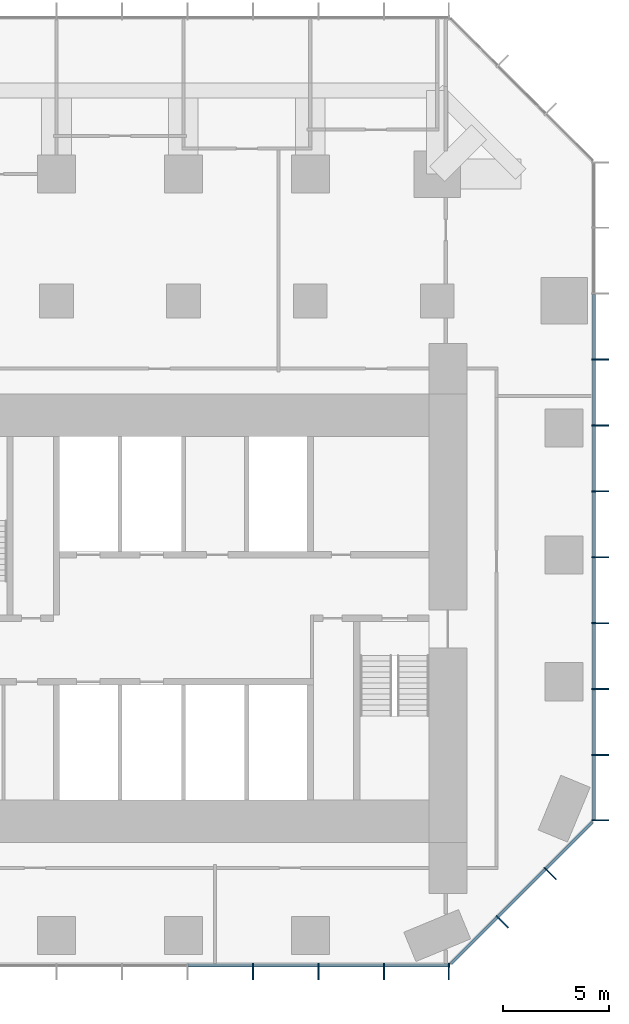
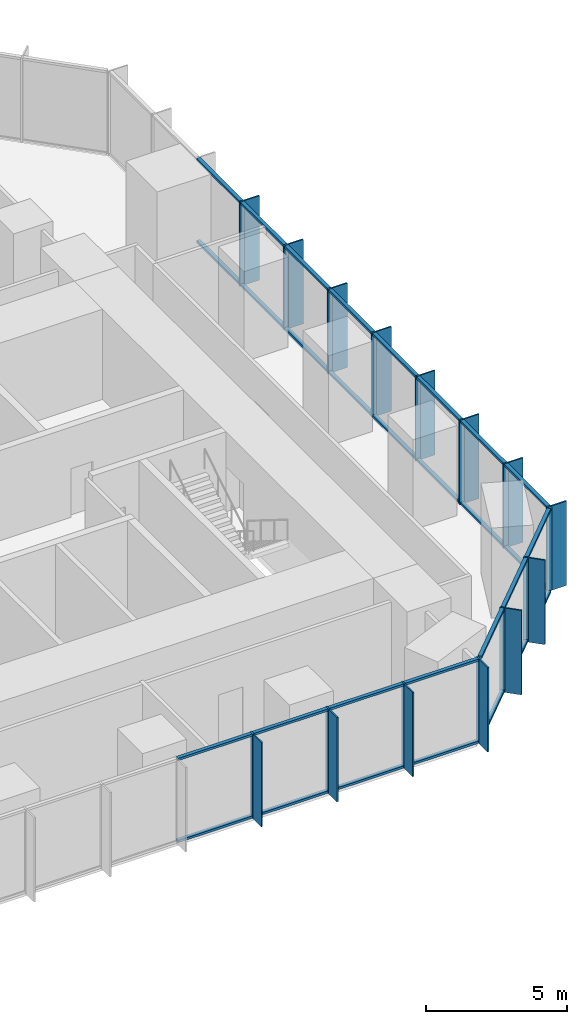
# One storey, part 4 of 11: 58 members, 3 elements without a shape of their own.
"""IFC4 building model written with IfcOpenShell, lengths in metres."""

import ifcopenshell
import ifcopenshell.guid

model = None  # the IFC model being written
_history = None  # IfcOwnerHistory: only IFC2X3 demands one
_inside = {}  # id of a spatial element -> (the spatial element, [elements in it])
_under = {}  # id of a project, library or spatial element -> (it, [spatial elements below it])
_declared = {}  # id of a project -> (the project, [libraries it declares])
_typed = {}  # id of a type object -> (the type object, [elements of that type])
_made_of = {}  # id of a material, layer set ... -> (it, [elements and type objects made of it])


def new_model(schema):
    """Start an empty IFC model of exactly this schema.

    Asked for "IFC4X3", IfcOpenShell would pick the latest addendum, in which some entities
    have other attributes; the version numbers below select the first issue.
    IFC2X3 requires an IfcOwnerHistory on every rooted entity: one is made here for all.
    """
    global model, _history
    if schema == "IFC4X3":
        model = ifcopenshell.file(schema_version=(4, 3, 0, 0))
    else:
        model = ifcopenshell.file(schema=schema)
    _inside.clear()
    _under.clear()
    _declared.clear()
    _typed.clear()
    _made_of.clear()
    _history = None
    if model.schema == "IFC2X3":
        org = make("IfcOrganization", Name="unknown")
        user = make(
            "IfcPersonAndOrganization",
            ThePerson=make("IfcPerson", FamilyName="unknown"),
            TheOrganization=org,
        )
        app = make(
            "IfcApplication",
            ApplicationDeveloper=org,
            Version="unknown",
            ApplicationFullName="unknown",
            ApplicationIdentifier="unknown",
        )
        _history = make(
            "IfcOwnerHistory",
            OwningUser=user,
            OwningApplication=app,
            ChangeAction="ADDED",
            CreationDate=0,
        )
    return model


def make(cls, **values):
    """One entity of the class cls with the attributes given. An attribute that is None is left unset."""
    return model.create_entity(
        cls, **{name: value for name, value in values.items() if value is not None}
    )


def rooted(cls, **values):
    """An entity with a GlobalId (a new one), such as an element, a storey or a relation."""
    return make(cls, GlobalId=ifcopenshell.guid.new(), OwnerHistory=_history, **values)


def si_unit(unit_type, name, prefix=None):
    """IfcSIUnit, for example si_unit("LENGTHUNIT", "METRE", prefix="MILLI")."""
    return make("IfcSIUnit", UnitType=unit_type, Prefix=prefix, Name=name)


def assignment(units):
    """IfcUnitAssignment: the units of a project."""
    return None if units is None else make("IfcUnitAssignment", Units=units)


def point(xyz):
    """IfcCartesianPoint."""
    return None if xyz is None else make("IfcCartesianPoint", Coordinates=xyz)


def direction(xyz):
    """IfcDirection."""
    return None if xyz is None else make("IfcDirection", DirectionRatios=xyz)


def frame(location, z_axis=None, x_axis=None):
    """IfcAxis2Placement3D, a coordinate frame: its origin and axes. An axis left out is left unset."""
    return make(
        "IfcAxis2Placement3D",
        Location=point(location),
        Axis=direction(z_axis),
        RefDirection=direction(x_axis),
    )


def frame_2d(location, x_axis=None):
    """IfcAxis2Placement2D, a coordinate frame in the plane: its origin and x axis."""
    return make(
        "IfcAxis2Placement2D", Location=point(location), RefDirection=direction(x_axis)
    )


def origin():
    """The frame at (0, 0, 0) with its axes left unset."""
    return frame((0.0, 0.0, 0.0))


def origin_2d():
    """The frame at (0, 0) in the plane with its x axis left unset."""
    return frame_2d((0.0, 0.0))


def place(relative_to, where):
    """IfcLocalPlacement: puts the frame where relative to a parent placement (None: the world)."""
    return make(
        "IfcLocalPlacement", PlacementRelTo=relative_to, RelativePlacement=where
    )


def context(
    kind, dimensions, precision=None, world=None, true_north=None, identifier=None
):
    """IfcGeometricRepresentationContext, for example the 3D "Model" context."""
    return make(
        "IfcGeometricRepresentationContext",
        ContextIdentifier=identifier,
        ContextType=kind,
        CoordinateSpaceDimension=dimensions,
        Precision=precision,
        WorldCoordinateSystem=world,
        TrueNorth=true_north,
    )


def subcontext(parent, identifier, kind, view, scale=None):
    """IfcGeometricRepresentationSubContext, for example "Body" below "Model"."""
    return make(
        "IfcGeometricRepresentationSubContext",
        ContextIdentifier=identifier,
        ContextType=kind,
        ParentContext=parent,
        TargetScale=scale,
        TargetView=view,
    )


def project(units=None, contexts=None):
    """IfcProject with its units and contexts."""
    return rooted(
        "IfcProject",
        Name="project",
        RepresentationContexts=contexts,
        UnitsInContext=assignment(units),
    )


def spatial(cls, under=None, at=None, **own):
    """A site, building, storey or space (cls), placed at a placement, below another one or the project."""
    s = rooted(cls, ObjectPlacement=at, **own)
    if under is not None:
        _under.setdefault(under.id(), (under, []))[1].append(s)
    return s


def profile(cls, at=None, kind="AREA", **sizes):
    """A parametric profile (cls). Its sizes go by their IFC names, for example OverallWidth=200.0."""
    return make(cls, ProfileType=kind, Position=at, **sizes)


def rectangle(**sizes):
    """IfcRectangleProfileDef."""
    return profile("IfcRectangleProfileDef", **sizes)


def extrude(swept, where, along, depth):
    """IfcExtrudedAreaSolid: the profile swept, set in the frame where, extruded along a direction by depth."""
    return make(
        "IfcExtrudedAreaSolid",
        SweptArea=swept,
        Position=where,
        ExtrudedDirection=direction(along),
        Depth=depth,
    )


def shape(context_of_items, identifier, shape_type, items):
    """IfcShapeRepresentation: the items that make up one representation, for example the "Body"."""
    return make(
        "IfcShapeRepresentation",
        ContextOfItems=context_of_items,
        RepresentationIdentifier=identifier,
        RepresentationType=shape_type,
        Items=items,
    )


def material(Name=None, Category=None):
    """IfcMaterial."""
    return make("IfcMaterial", Name=Name, Category=Category)


def layer(
    of_material, thickness, ventilated=None, Name=None, Category=None, Priority=None
):
    """IfcMaterialLayer: one layer of a wall or slab, of a material (None: an air gap)."""
    return make(
        "IfcMaterialLayer",
        Material=of_material,
        LayerThickness=thickness,
        IsVentilated=ventilated,
        Name=Name,
        Category=Category,
        Priority=Priority,
    )


def layer_set(layers, Name=None):
    """IfcMaterialLayerSet."""
    return make("IfcMaterialLayerSet", MaterialLayers=layers, LayerSetName=Name)


def material_profile(
    of_material, cross_section, Name=None, Category=None, Priority=None
):
    """IfcMaterialProfile: a cross section and its material."""
    return make(
        "IfcMaterialProfile",
        Name=Name,
        Material=of_material,
        Profile=cross_section,
        Priority=Priority,
        Category=Category,
    )


def profile_set(profiles, Name=None, composite=None):
    """IfcMaterialProfileSet."""
    return make(
        "IfcMaterialProfileSet",
        Name=Name,
        MaterialProfiles=profiles,
        CompositeProfile=composite,
    )


def made_of(thing, what):
    """Note that an element or type object is made of a material, layer set ...; save() writes the relation."""
    if what is not None:
        _made_of.setdefault(what.id(), (what, []))[1].append(thing)
    return thing


def type_object(cls, material=None, **own):
    """A type object (cls), such as IfcWallType, which elements share."""
    return made_of(rooted(cls, **own), material)


def element(
    cls,
    number,
    at=None,
    inside=None,
    cuts=None,
    type_object=None,
    material=None,
    context=None,
    identifier="Body",
    shape_type=None,
    held_by="IfcProductDefinitionShape",
    body=None,
    shapes=None,
    **own,
):
    """One element of the class cls, such as IfcWall. Its Tag is "e" and its number.

    at: its placement. inside: the storey or other place that contains it. cuts: it is an
    opening in that element (IfcRelVoidsElement). A single representation is given by context,
    identifier, shape_type and body (its items); several are given by shapes. held_by: the class
    of the entity that holds the representations. save() writes the other relations.
    """
    e = rooted(cls, Tag="e%d" % number, ObjectPlacement=at, **own)
    if body is not None:
        shapes = [shape(context, identifier, shape_type, body)]
    if shapes is not None:
        e.Representation = make(held_by, Representations=shapes)
    if inside is not None:
        _inside.setdefault(inside.id(), (inside, []))[1].append(e)
    if cuts is not None:
        rooted(
            "IfcRelVoidsElement", RelatingBuildingElement=cuts, RelatedOpeningElement=e
        )
    if type_object is not None:
        _typed.setdefault(type_object.id(), (type_object, []))[1].append(e)
    return made_of(e, material)


def aggregate(whole, parts):
    """IfcRelAggregates: a whole, such as a stair, and the parts it consists of."""
    return rooted("IfcRelAggregates", RelatingObject=whole, RelatedObjects=parts)


def save(model, path):
    """Write the relations noted so far, then the file.

    IfcRelAggregates (storeys below a building ...), IfcRelContainedInSpatialStructure (elements
    in a storey), IfcRelDefinesByType, IfcRelAssociatesMaterial and IfcRelDeclares: one each for
    every whole, place, type object, material and project.
    """
    for whole, parts in _under.values():
        aggregate(whole, parts)
    for where, things in _inside.values():
        rooted(
            "IfcRelContainedInSpatialStructure",
            RelatedElements=things,
            RelatingStructure=where,
        )
    for kind, things in _typed.values():
        rooted("IfcRelDefinesByType", RelatedObjects=things, RelatingType=kind)
    for what, things in _made_of.values():
        rooted("IfcRelAssociatesMaterial", RelatedObjects=things, RelatingMaterial=what)
    for by, libraries in _declared.values():
        rooted("IfcRelDeclares", RelatingContext=by, RelatedDefinitions=libraries)
    model.write(path)


model = new_model("IFC4")

# Units and contexts
model_context = context("Model", 3, precision=1e-05, world=origin(), true_north=direction((0.0, 1.0)))
body_context = subcontext(model_context, "Body", "Model", "MODEL_VIEW")
ifc_project = project(units=[si_unit("LENGTHUNIT", "METRE"), si_unit("AREAUNIT", "SQUARE_METRE"), si_unit("VOLUMEUNIT", "CUBIC_METRE"), si_unit("PLANEANGLEUNIT", "RADIAN"), si_unit("MASSUNIT", "GRAM", prefix="KILO")], contexts=[model_context])

# Site, building, storey
site_placement = place(None, origin())
site = spatial("IfcSite", under=ifc_project, at=site_placement, CompositionType="ELEMENT")
building_placement = place(site_placement, origin())
building = spatial("IfcBuilding", under=site, at=building_placement, Name="Highveld Stack Headquarters", CompositionType="ELEMENT")
storey_placement = place(building_placement, frame((0.0, 0.0, 93.800048828125)))
storey = spatial("IfcBuildingStorey", under=building, at=storey_placement, Name="L22", CompositionType="ELEMENT", Elevation=93.800048828125)

# Curtain wall, members
ifc_material_1 = material(Name="Aluminium bronze anodised", Category="aluminium")
ifc_layer = layer(ifc_material_1, 0.199951171875)
ifc_layer_set = layer_set([ifc_layer], Name="Aluminium bronze anodised")
curtain_wall_type = type_object("IfcCurtainWallType", Name="CW6 SKY LOBBY UNITISED CURTAIN WALL", PredefinedType="NOTDEFINED", material=ifc_layer_set)
curtain_wall_1_placement = place(storey_placement, origin())
curtain_wall_1 = element("IfcCurtainWall", 1, at=curtain_wall_1_placement, inside=storey, type_object=curtain_wall_type, Name="Curtain wall CW6 L22 S", PredefinedType="NOTDEFINED")
ifc_material_2 = material(Name="Aluminium bronze anodised", Category="aluminium")
ifc_material_profile_1 = material_profile(ifc_material_2, rectangle(XDim=0.60009765625, YDim=0.06005859375, at=origin_2d()), Name="FIN 600x60")
ifc_profile_set_1 = profile_set([ifc_material_profile_1], Name="Aluminium bronze anodised")
member_type_1 = type_object("IfcMemberType", Name="CW6 BRONZE FIN 600x60", PredefinedType="USERDEFINED", material=ifc_profile_set_1)
member_1_placement = place(storey_placement, frame((9.2900390625, -13.800048828125, 0.0), z_axis=(0.0, 0.0, 1.0), x_axis=(0.0, 1.0, 0.0)))
member_1 = element("IfcMember", 2, at=member_1_placement, type_object=member_type_1, Name="CW6 fin L22 10", ObjectType="FIN", PredefinedType="USERDEFINED", context=body_context, shape_type="SweptSolid", body=[
    extrude(rectangle(XDim=0.60009765625, YDim=0.06005859375, at=origin_2d()), origin(), (0.0, 0.0, 1.0), 3.64990234375),
])
member_2_placement = place(storey_placement, frame((12.38671875, -13.800048828125, 0.0), z_axis=(0.0, 0.0, 1.0), x_axis=(0.0, 1.0, 0.0)))
member_2 = element("IfcMember", 3, at=member_2_placement, type_object=member_type_1, Name="CW6 fin L22 11", ObjectType="FIN", PredefinedType="USERDEFINED", context=body_context, shape_type="SweptSolid", body=[
    extrude(rectangle(XDim=0.60009765625, YDim=0.06005859375, at=origin_2d()), origin(), (0.0, 0.0, 1.0), 3.64990234375),
])
member_3_placement = place(storey_placement, frame((15.4833984375, -13.800048828125, 0.0), z_axis=(0.0, 0.0, 1.0), x_axis=(0.0, 1.0, 0.0)))
member_3 = element("IfcMember", 4, at=member_3_placement, type_object=member_type_1, Name="CW6 fin L22 12", ObjectType="FIN", PredefinedType="USERDEFINED", context=body_context, shape_type="SweptSolid", body=[
    extrude(rectangle(XDim=0.60009765625, YDim=0.06005859375, at=origin_2d()), origin(), (0.0, 0.0, 1.0), 3.64990234375),
])
member_4_placement = place(storey_placement, frame((18.54736328125, -13.800048828125, 0.0), z_axis=(0.0, 0.0, 1.0), x_axis=(0.0, 1.0, 0.0)))
member_4 = element("IfcMember", 5, at=member_4_placement, type_object=member_type_1, Name="CW6 fin L22 13", ObjectType="FIN", PredefinedType="USERDEFINED", context=body_context, shape_type="SweptSolid", body=[
    extrude(rectangle(XDim=0.60009765625, YDim=0.06005859375, at=origin_2d()), origin(), (0.0, 0.0, 1.0), 3.64990234375),
])

curtain_wall_2_placement = place(storey_placement, origin())
curtain_wall_2 = element("IfcCurtainWall", 6, at=curtain_wall_2_placement, inside=storey, type_object=curtain_wall_type, Name="Curtain wall CW6 L22 SE", PredefinedType="NOTDEFINED")
member_5_placement = place(storey_placement, frame((21.135986328125, -11.409423828125, 0.0), z_axis=(0.0, 0.0, 1.0), x_axis=(-0.707106781187, 0.707106781187, 0.0)))
member_5 = element("IfcMember", 7, at=member_5_placement, type_object=member_type_1, Name="CW6 fin L22 1", ObjectType="FIN", PredefinedType="USERDEFINED", context=body_context, shape_type="SweptSolid", body=[
    extrude(rectangle(XDim=0.60009765625, YDim=0.06005859375, at=origin_2d()), origin(), (0.0, 0.0, 1.0), 3.64990234375),
])
member_6_placement = place(storey_placement, frame((23.409423828125, -9.135986328125, 0.0), z_axis=(0.0, 0.0, 1.0), x_axis=(-0.707106781187, 0.707106781187, 0.0)))
member_6 = element("IfcMember", 8, at=member_6_placement, type_object=member_type_1, Name="CW6 fin L22 2", ObjectType="FIN", PredefinedType="USERDEFINED", context=body_context, shape_type="SweptSolid", body=[
    extrude(rectangle(XDim=0.60009765625, YDim=0.06005859375, at=origin_2d()), origin(), (0.0, 0.0, 1.0), 3.64990234375),
])

curtain_wall_3_placement = place(storey_placement, origin())
curtain_wall_3 = element("IfcCurtainWall", 9, at=curtain_wall_3_placement, inside=storey, type_object=curtain_wall_type, Name="Curtain wall CW6 L22 E", PredefinedType="NOTDEFINED")
member_7_placement = place(storey_placement, frame((25.800048828125, -6.54736328125, 0.0), z_axis=(0.0, 0.0, 1.0), x_axis=(-1.0, 0.0, 0.0)))
member_7 = element("IfcMember", 10, at=member_7_placement, type_object=member_type_1, Name="CW6 fin L22 1", ObjectType="FIN", PredefinedType="USERDEFINED", context=body_context, shape_type="SweptSolid", body=[
    extrude(rectangle(XDim=0.60009765625, YDim=0.06005859375, at=origin_2d()), origin(), (0.0, 0.0, 1.0), 3.64990234375),
])
member_8_placement = place(storey_placement, frame((25.800048828125, -3.4638671875, 0.0), z_axis=(0.0, 0.0, 1.0), x_axis=(-1.0, 0.0, 0.0)))
member_8 = element("IfcMember", 11, at=member_8_placement, type_object=member_type_1, Name="CW6 fin L22 2", ObjectType="FIN", PredefinedType="USERDEFINED", context=body_context, shape_type="SweptSolid", body=[
    extrude(rectangle(XDim=0.60009765625, YDim=0.06005859375, at=origin_2d()), origin(), (0.0, 0.0, 1.0), 3.64990234375),
])
member_9_placement = place(storey_placement, frame((25.800048828125, -0.347900390625, 0.0), z_axis=(0.0, 0.0, 1.0), x_axis=(-1.0, 0.0, 0.0)))
member_9 = element("IfcMember", 12, at=member_9_placement, type_object=member_type_1, Name="CW6 fin L22 3", ObjectType="FIN", PredefinedType="USERDEFINED", context=body_context, shape_type="SweptSolid", body=[
    extrude(rectangle(XDim=0.60009765625, YDim=0.06005859375, at=origin_2d()), origin(), (0.0, 0.0, 1.0), 3.64990234375),
])
member_10_placement = place(storey_placement, frame((25.800048828125, 2.76806640625, 0.0), z_axis=(0.0, 0.0, 1.0), x_axis=(-1.0, 0.0, 0.0)))
member_10 = element("IfcMember", 13, at=member_10_placement, type_object=member_type_1, Name="CW6 fin L22 4", ObjectType="FIN", PredefinedType="USERDEFINED", context=body_context, shape_type="SweptSolid", body=[
    extrude(rectangle(XDim=0.60009765625, YDim=0.06005859375, at=origin_2d()), origin(), (0.0, 0.0, 1.0), 3.64990234375),
])
member_11_placement = place(storey_placement, frame((25.800048828125, 5.884033203125, 0.0), z_axis=(0.0, 0.0, 1.0), x_axis=(-1.0, 0.0, 0.0)))
member_11 = element("IfcMember", 14, at=member_11_placement, type_object=member_type_1, Name="CW6 fin L22 5", ObjectType="FIN", PredefinedType="USERDEFINED", context=body_context, shape_type="SweptSolid", body=[
    extrude(rectangle(XDim=0.60009765625, YDim=0.06005859375, at=origin_2d()), origin(), (0.0, 0.0, 1.0), 3.64990234375),
])
member_12_placement = place(storey_placement, frame((25.800048828125, 9.0, 0.0), z_axis=(0.0, 0.0, 1.0), x_axis=(-1.0, 0.0, 0.0)))
member_12 = element("IfcMember", 15, at=member_12_placement, type_object=member_type_1, Name="CW6 fin L22 6", ObjectType="FIN", PredefinedType="USERDEFINED", context=body_context, shape_type="SweptSolid", body=[
    extrude(rectangle(XDim=0.60009765625, YDim=0.06005859375, at=origin_2d()), origin(), (0.0, 0.0, 1.0), 3.64990234375),
])
member_13_placement = place(storey_placement, frame((25.800048828125, 12.115966796875, 0.0), z_axis=(0.0, 0.0, 1.0), x_axis=(-1.0, 0.0, 0.0)))
member_13 = element("IfcMember", 16, at=member_13_placement, type_object=member_type_1, Name="CW6 fin L22 7", ObjectType="FIN", PredefinedType="USERDEFINED", context=body_context, shape_type="SweptSolid", body=[
    extrude(rectangle(XDim=0.60009765625, YDim=0.06005859375, at=origin_2d()), origin(), (0.0, 0.0, 1.0), 3.64990234375),
])
member_14_placement = place(storey_placement, frame((25.800048828125, 15.23193359375, 0.0), z_axis=(0.0, 0.0, 1.0), x_axis=(-1.0, 0.0, 0.0)))
member_14 = element("IfcMember", 17, at=member_14_placement, type_object=member_type_1, Name="CW6 fin L22 8", ObjectType="FIN", PredefinedType="USERDEFINED", context=body_context, shape_type="SweptSolid", body=[
    extrude(rectangle(XDim=0.60009765625, YDim=0.06005859375, at=origin_2d()), origin(), (0.0, 0.0, 1.0), 3.64990234375),
])

# Member
ifc_material_3 = material(Name="Aluminium bronze anodised", Category="aluminium")
ifc_material_profile_2 = material_profile(ifc_material_3, rectangle(XDim=0.199951171875, YDim=0.06494140625, at=origin_2d()), Name="CW6 MULLION 65x200")
ifc_profile_set_2 = profile_set([ifc_material_profile_2], Name="Aluminium bronze anodised")
member_type_2 = type_object("IfcMemberType", Name="CW6 MULLION 65x200", PredefinedType="MULLION", material=ifc_profile_set_2)
member_15_placement = place(storey_placement, frame((9.2900390625, -13.39990234375, 0.0), z_axis=(0.0, 0.0, 1.0), x_axis=(0.0, 1.0, 0.0)))
member_15 = element("IfcMember", 18, at=member_15_placement, type_object=member_type_2, Name="CW6 mullion L22 10", PredefinedType="MULLION", context=body_context, shape_type="SweptSolid", body=[
    extrude(rectangle(XDim=0.199951171875, YDim=0.06494140625, at=origin_2d()), origin(), (0.0, 0.0, 1.0), 3.64990234375),
])

member_16_placement = place(storey_placement, frame((12.38671875, -13.39990234375, 0.0), z_axis=(0.0, 0.0, 1.0), x_axis=(0.0, 1.0, 0.0)))
member_16 = element("IfcMember", 19, at=member_16_placement, type_object=member_type_2, Name="CW6 mullion L22 11", PredefinedType="MULLION", context=body_context, shape_type="SweptSolid", body=[
    extrude(rectangle(XDim=0.199951171875, YDim=0.06494140625, at=origin_2d()), origin(), (0.0, 0.0, 1.0), 3.64990234375),
])

member_17_placement = place(storey_placement, frame((15.4833984375, -13.39990234375, 0.0), z_axis=(0.0, 0.0, 1.0), x_axis=(0.0, 1.0, 0.0)))
member_17 = element("IfcMember", 20, at=member_17_placement, type_object=member_type_2, Name="CW6 mullion L22 12", PredefinedType="MULLION", context=body_context, shape_type="SweptSolid", body=[
    extrude(rectangle(XDim=0.199951171875, YDim=0.06494140625, at=origin_2d()), origin(), (0.0, 0.0, 1.0), 3.64990234375),
])

member_18_placement = place(storey_placement, frame((18.54736328125, -13.39990234375, 0.0), z_axis=(0.0, 0.0, 1.0), x_axis=(0.0, 1.0, 0.0)))
member_18 = element("IfcMember", 21, at=member_18_placement, type_object=member_type_2, Name="CW6 mullion L22 13", PredefinedType="MULLION", context=body_context, shape_type="SweptSolid", body=[
    extrude(rectangle(XDim=0.199951171875, YDim=0.06494140625, at=origin_2d()), origin(), (0.0, 0.0, 1.0), 3.64990234375),
])

member_19_placement = place(storey_placement, frame((20.853271484375, -11.126708984375, 0.0), z_axis=(0.0, 0.0, 1.0), x_axis=(-0.707106781187, 0.707106781187, 0.0)))
member_19 = element("IfcMember", 22, at=member_19_placement, type_object=member_type_2, Name="CW6 mullion L22 1", PredefinedType="MULLION", context=body_context, shape_type="SweptSolid", body=[
    extrude(rectangle(XDim=0.199951171875, YDim=0.06494140625, at=origin_2d()), origin(), (0.0, 0.0, 1.0), 3.64990234375),
])

member_20_placement = place(storey_placement, frame((23.126708984375, -8.853271484375, 0.0), z_axis=(0.0, 0.0, 1.0), x_axis=(-0.707106781187, 0.707106781187, 0.0)))
member_20 = element("IfcMember", 23, at=member_20_placement, type_object=member_type_2, Name="CW6 mullion L22 2", PredefinedType="MULLION", context=body_context, shape_type="SweptSolid", body=[
    extrude(rectangle(XDim=0.199951171875, YDim=0.06494140625, at=origin_2d()), origin(), (0.0, 0.0, 1.0), 3.64990234375),
])

member_21_placement = place(storey_placement, frame((25.39990234375, -6.54736328125, 0.0), z_axis=(0.0, 0.0, 1.0), x_axis=(-1.0, 0.0, 0.0)))
member_21 = element("IfcMember", 24, at=member_21_placement, type_object=member_type_2, Name="CW6 mullion L22 1", PredefinedType="MULLION", context=body_context, shape_type="SweptSolid", body=[
    extrude(rectangle(XDim=0.199951171875, YDim=0.06494140625, at=origin_2d()), origin(), (0.0, 0.0, 1.0), 3.64990234375),
])

member_22_placement = place(storey_placement, frame((25.39990234375, -3.4638671875, 0.0), z_axis=(0.0, 0.0, 1.0), x_axis=(-1.0, 0.0, 0.0)))
member_22 = element("IfcMember", 25, at=member_22_placement, type_object=member_type_2, Name="CW6 mullion L22 2", PredefinedType="MULLION", context=body_context, shape_type="SweptSolid", body=[
    extrude(rectangle(XDim=0.199951171875, YDim=0.06494140625, at=origin_2d()), origin(), (0.0, 0.0, 1.0), 3.64990234375),
])

member_23_placement = place(storey_placement, frame((25.39990234375, -0.347900390625, 0.0), z_axis=(0.0, 0.0, 1.0), x_axis=(-1.0, 0.0, 0.0)))
member_23 = element("IfcMember", 26, at=member_23_placement, type_object=member_type_2, Name="CW6 mullion L22 3", PredefinedType="MULLION", context=body_context, shape_type="SweptSolid", body=[
    extrude(rectangle(XDim=0.199951171875, YDim=0.06494140625, at=origin_2d()), origin(), (0.0, 0.0, 1.0), 3.64990234375),
])

member_24_placement = place(storey_placement, frame((25.39990234375, 2.76806640625, 0.0), z_axis=(0.0, 0.0, 1.0), x_axis=(-1.0, 0.0, 0.0)))
member_24 = element("IfcMember", 27, at=member_24_placement, type_object=member_type_2, Name="CW6 mullion L22 4", PredefinedType="MULLION", context=body_context, shape_type="SweptSolid", body=[
    extrude(rectangle(XDim=0.199951171875, YDim=0.06494140625, at=origin_2d()), origin(), (0.0, 0.0, 1.0), 3.64990234375),
])

member_25_placement = place(storey_placement, frame((25.39990234375, 5.884033203125, 0.0), z_axis=(0.0, 0.0, 1.0), x_axis=(-1.0, 0.0, 0.0)))
member_25 = element("IfcMember", 28, at=member_25_placement, type_object=member_type_2, Name="CW6 mullion L22 5", PredefinedType="MULLION", context=body_context, shape_type="SweptSolid", body=[
    extrude(rectangle(XDim=0.199951171875, YDim=0.06494140625, at=origin_2d()), origin(), (0.0, 0.0, 1.0), 3.64990234375),
])

member_26_placement = place(storey_placement, frame((25.39990234375, 9.0, 0.0), z_axis=(0.0, 0.0, 1.0), x_axis=(-1.0, 0.0, 0.0)))
member_26 = element("IfcMember", 29, at=member_26_placement, type_object=member_type_2, Name="CW6 mullion L22 6", PredefinedType="MULLION", context=body_context, shape_type="SweptSolid", body=[
    extrude(rectangle(XDim=0.199951171875, YDim=0.06494140625, at=origin_2d()), origin(), (0.0, 0.0, 1.0), 3.64990234375),
])

member_27_placement = place(storey_placement, frame((25.39990234375, 12.115966796875, 0.0), z_axis=(0.0, 0.0, 1.0), x_axis=(-1.0, 0.0, 0.0)))
member_27 = element("IfcMember", 30, at=member_27_placement, type_object=member_type_2, Name="CW6 mullion L22 7", PredefinedType="MULLION", context=body_context, shape_type="SweptSolid", body=[
    extrude(rectangle(XDim=0.199951171875, YDim=0.06494140625, at=origin_2d()), origin(), (0.0, 0.0, 1.0), 3.64990234375),
])

member_28_placement = place(storey_placement, frame((25.39990234375, 15.23193359375, 0.0), z_axis=(0.0, 0.0, 1.0), x_axis=(-1.0, 0.0, 0.0)))
member_28 = element("IfcMember", 31, at=member_28_placement, type_object=member_type_2, Name="CW6 mullion L22 8", PredefinedType="MULLION", context=body_context, shape_type="SweptSolid", body=[
    extrude(rectangle(XDim=0.199951171875, YDim=0.06494140625, at=origin_2d()), origin(), (0.0, 0.0, 1.0), 3.64990234375),
])

ifc_material_4 = material(Name="Aluminium bronze anodised", Category="aluminium")
ifc_material_profile_3 = material_profile(ifc_material_4, rectangle(XDim=0.14990234375, YDim=0.10009765625, at=origin_2d()), Name="CW6 TRANSOM 150x100")
ifc_profile_set_3 = profile_set([ifc_material_profile_3], Name="Aluminium bronze anodised")
member_type_3 = type_object("IfcMemberType", Name="CW6 STACK TRANSOM 150x100", PredefinedType="USERDEFINED", material=ifc_profile_set_3)
member_29_placement = place(storey_placement, frame((6.225830078125, -13.39990234375, 0.050048828125), z_axis=(1.0, 0.0, 0.0), x_axis=(0.0, 1.0, 0.0)))
member_29 = element("IfcMember", 32, at=member_29_placement, type_object=member_type_3, Name="CW6 transom L22 9.1", ObjectType="TRANSOM", PredefinedType="USERDEFINED", context=body_context, shape_type="SweptSolid", body=[
    extrude(rectangle(XDim=0.14990234375, YDim=0.10009765625, at=origin_2d()), origin(), (0.0, 0.0, 1.0), 3.03173828125),
])

member_30_placement = place(storey_placement, frame((6.225830078125, -13.39990234375, 3.599853515625), z_axis=(1.0, 0.0, 0.0), x_axis=(0.0, 1.0, 0.0)))
member_30 = element("IfcMember", 33, at=member_30_placement, type_object=member_type_3, Name="CW6 transom L22 9.2", ObjectType="TRANSOM", PredefinedType="USERDEFINED", context=body_context, shape_type="SweptSolid", body=[
    extrude(rectangle(XDim=0.14990234375, YDim=0.10009765625, at=origin_2d()), origin(), (0.0, 0.0, 1.0), 3.03173828125),
])

member_31_placement = place(storey_placement, frame((9.322509765625, -13.39990234375, 0.050048828125), z_axis=(1.0, 0.0, 0.0), x_axis=(0.0, 1.0, 0.0)))
member_31 = element("IfcMember", 34, at=member_31_placement, type_object=member_type_3, Name="CW6 transom L22 10.1", ObjectType="TRANSOM", PredefinedType="USERDEFINED", context=body_context, shape_type="SweptSolid", body=[
    extrude(rectangle(XDim=0.14990234375, YDim=0.10009765625, at=origin_2d()), origin(), (0.0, 0.0, 1.0), 3.031494140625),
])

member_32_placement = place(storey_placement, frame((9.322509765625, -13.39990234375, 3.599853515625), z_axis=(1.0, 0.0, 0.0), x_axis=(0.0, 1.0, 0.0)))
member_32 = element("IfcMember", 35, at=member_32_placement, type_object=member_type_3, Name="CW6 transom L22 10.2", ObjectType="TRANSOM", PredefinedType="USERDEFINED", context=body_context, shape_type="SweptSolid", body=[
    extrude(rectangle(XDim=0.14990234375, YDim=0.10009765625, at=origin_2d()), origin(), (0.0, 0.0, 1.0), 3.031494140625),
])

member_33_placement = place(storey_placement, frame((12.419189453125, -13.39990234375, 0.050048828125), z_axis=(1.0, 0.0, 0.0), x_axis=(0.0, 1.0, 0.0)))
member_33 = element("IfcMember", 36, at=member_33_placement, type_object=member_type_3, Name="CW6 transom L22 11.1", ObjectType="TRANSOM", PredefinedType="USERDEFINED", context=body_context, shape_type="SweptSolid", body=[
    extrude(rectangle(XDim=0.14990234375, YDim=0.10009765625, at=origin_2d()), origin(), (0.0, 0.0, 1.0), 3.031494140625),
])

member_34_placement = place(storey_placement, frame((12.419189453125, -13.39990234375, 3.599853515625), z_axis=(1.0, 0.0, 0.0), x_axis=(0.0, 1.0, 0.0)))
member_34 = element("IfcMember", 37, at=member_34_placement, type_object=member_type_3, Name="CW6 transom L22 11.2", ObjectType="TRANSOM", PredefinedType="USERDEFINED", context=body_context, shape_type="SweptSolid", body=[
    extrude(rectangle(XDim=0.14990234375, YDim=0.10009765625, at=origin_2d()), origin(), (0.0, 0.0, 1.0), 3.031494140625),
])

member_35_placement = place(storey_placement, frame((15.515869140625, -13.39990234375, 0.050048828125), z_axis=(1.0, 0.0, 0.0), x_axis=(0.0, 1.0, 0.0)))
member_35 = element("IfcMember", 38, at=member_35_placement, type_object=member_type_3, Name="CW6 transom L22 12.1", ObjectType="TRANSOM", PredefinedType="USERDEFINED", context=body_context, shape_type="SweptSolid", body=[
    extrude(rectangle(XDim=0.14990234375, YDim=0.10009765625, at=origin_2d()), origin(), (0.0, 0.0, 1.0), 2.9990234375),
])

member_36_placement = place(storey_placement, frame((15.515869140625, -13.39990234375, 3.599853515625), z_axis=(1.0, 0.0, 0.0), x_axis=(0.0, 1.0, 0.0)))
member_36 = element("IfcMember", 39, at=member_36_placement, type_object=member_type_3, Name="CW6 transom L22 12.2", ObjectType="TRANSOM", PredefinedType="USERDEFINED", context=body_context, shape_type="SweptSolid", body=[
    extrude(rectangle(XDim=0.14990234375, YDim=0.10009765625, at=origin_2d()), origin(), (0.0, 0.0, 1.0), 2.9990234375),
])

aggregate(curtain_wall_1, [member_15, member_1, member_16, member_2, member_17, member_3, member_18, member_4, member_29, member_30, member_31, member_32, member_33, member_34, member_35, member_36])

member_37_placement = place(storey_placement, frame((18.650634765625, -13.329345703125, 0.050048828125), z_axis=(0.707106781187, 0.707106781187, 0.0), x_axis=(-0.707106781187, 0.707106781187, 0.0)))
member_37 = element("IfcMember", 40, at=member_37_placement, type_object=member_type_3, Name="CW6 transom L22 1.1", ObjectType="TRANSOM", PredefinedType="USERDEFINED", context=body_context, shape_type="SweptSolid", body=[
    extrude(rectangle(XDim=0.14990234375, YDim=0.10009765625, at=origin_2d()), origin(), (0.0, 0.0, 1.0), 3.08251953125),
])

member_38_placement = place(storey_placement, frame((18.650634765625, -13.329345703125, 3.599853515625), z_axis=(0.707106781187, 0.707106781187, 0.0), x_axis=(-0.707106781187, 0.707106781187, 0.0)))
member_38 = element("IfcMember", 41, at=member_38_placement, type_object=member_type_3, Name="CW6 transom L22 1.2", ObjectType="TRANSOM", PredefinedType="USERDEFINED", context=body_context, shape_type="SweptSolid", body=[
    extrude(rectangle(XDim=0.14990234375, YDim=0.10009765625, at=origin_2d()), origin(), (0.0, 0.0, 1.0), 3.08251953125),
])

member_39_placement = place(storey_placement, frame((20.876220703125, -11.103759765625, 0.050048828125), z_axis=(0.707106781187, 0.707106781187, 0.0), x_axis=(-0.707106781187, 0.707106781187, 0.0)))
member_39 = element("IfcMember", 42, at=member_39_placement, type_object=member_type_3, Name="CW6 transom L22 2.1", ObjectType="TRANSOM", PredefinedType="USERDEFINED", context=body_context, shape_type="SweptSolid", body=[
    extrude(rectangle(XDim=0.14990234375, YDim=0.10009765625, at=origin_2d()), origin(), (0.0, 0.0, 1.0), 3.150146484375),
])

member_40_placement = place(storey_placement, frame((20.876220703125, -11.103759765625, 3.599853515625), z_axis=(0.707106781187, 0.707106781187, 0.0), x_axis=(-0.707106781187, 0.707106781187, 0.0)))
member_40 = element("IfcMember", 43, at=member_40_placement, type_object=member_type_3, Name="CW6 transom L22 2.2", ObjectType="TRANSOM", PredefinedType="USERDEFINED", context=body_context, shape_type="SweptSolid", body=[
    extrude(rectangle(XDim=0.14990234375, YDim=0.10009765625, at=origin_2d()), origin(), (0.0, 0.0, 1.0), 3.150146484375),
])

member_41_placement = place(storey_placement, frame((23.149658203125, -8.830322265625, 0.050048828125), z_axis=(0.707106781187, 0.707106781187, 0.0), x_axis=(-0.707106781187, 0.707106781187, 0.0)))
member_41 = element("IfcMember", 44, at=member_41_placement, type_object=member_type_3, Name="CW6 transom L22 3.1", ObjectType="TRANSOM", PredefinedType="USERDEFINED", context=body_context, shape_type="SweptSolid", body=[
    extrude(rectangle(XDim=0.14990234375, YDim=0.10009765625, at=origin_2d()), origin(), (0.0, 0.0, 1.0), 3.08251953125),
])

member_42_placement = place(storey_placement, frame((23.149658203125, -8.830322265625, 3.599853515625), z_axis=(0.707106781187, 0.707106781187, 0.0), x_axis=(-0.707106781187, 0.707106781187, 0.0)))
member_42 = element("IfcMember", 45, at=member_42_placement, type_object=member_type_3, Name="CW6 transom L22 3.2", ObjectType="TRANSOM", PredefinedType="USERDEFINED", context=body_context, shape_type="SweptSolid", body=[
    extrude(rectangle(XDim=0.14990234375, YDim=0.10009765625, at=origin_2d()), origin(), (0.0, 0.0, 1.0), 3.08251953125),
])

aggregate(curtain_wall_2, [member_19, member_5, member_20, member_6, member_37, member_38, member_39, member_40, member_41, member_42])

member_43_placement = place(storey_placement, frame((25.39990234375, -6.514892578125, 0.050048828125), z_axis=(0.0, 1.0, 0.0), x_axis=(-1.0, 0.0, 0.0)))
member_43 = element("IfcMember", 46, at=member_43_placement, type_object=member_type_3, Name="CW6 transom L22 1.1", ObjectType="TRANSOM", PredefinedType="USERDEFINED", context=body_context, shape_type="SweptSolid", body=[
    extrude(rectangle(XDim=0.14990234375, YDim=0.10009765625, at=origin_2d()), origin(), (0.0, 0.0, 1.0), 3.0185546875),
])

member_44_placement = place(storey_placement, frame((25.39990234375, -6.514892578125, 3.599853515625), z_axis=(0.0, 1.0, 0.0), x_axis=(-1.0, 0.0, 0.0)))
member_44 = element("IfcMember", 47, at=member_44_placement, type_object=member_type_3, Name="CW6 transom L22 1.2", ObjectType="TRANSOM", PredefinedType="USERDEFINED", context=body_context, shape_type="SweptSolid", body=[
    extrude(rectangle(XDim=0.14990234375, YDim=0.10009765625, at=origin_2d()), origin(), (0.0, 0.0, 1.0), 3.0185546875),
])

member_45_placement = place(storey_placement, frame((25.39990234375, -3.431396484375, 0.050048828125), z_axis=(0.0, 1.0, 0.0), x_axis=(-1.0, 0.0, 0.0)))
member_45 = element("IfcMember", 48, at=member_45_placement, type_object=member_type_3, Name="CW6 transom L22 2.1", ObjectType="TRANSOM", PredefinedType="USERDEFINED", context=body_context, shape_type="SweptSolid", body=[
    extrude(rectangle(XDim=0.14990234375, YDim=0.10009765625, at=origin_2d()), origin(), (0.0, 0.0, 1.0), 3.051025390625),
])

member_46_placement = place(storey_placement, frame((25.39990234375, -3.431396484375, 3.599853515625), z_axis=(0.0, 1.0, 0.0), x_axis=(-1.0, 0.0, 0.0)))
member_46 = element("IfcMember", 49, at=member_46_placement, type_object=member_type_3, Name="CW6 transom L22 2.2", ObjectType="TRANSOM", PredefinedType="USERDEFINED", context=body_context, shape_type="SweptSolid", body=[
    extrude(rectangle(XDim=0.14990234375, YDim=0.10009765625, at=origin_2d()), origin(), (0.0, 0.0, 1.0), 3.051025390625),
])

member_47_placement = place(storey_placement, frame((25.39990234375, -0.3154296875, 0.050048828125), z_axis=(0.0, 1.0, 0.0), x_axis=(-1.0, 0.0, 0.0)))
member_47 = element("IfcMember", 50, at=member_47_placement, type_object=member_type_3, Name="CW6 transom L22 3.1", ObjectType="TRANSOM", PredefinedType="USERDEFINED", context=body_context, shape_type="SweptSolid", body=[
    extrude(rectangle(XDim=0.14990234375, YDim=0.10009765625, at=origin_2d()), origin(), (0.0, 0.0, 1.0), 3.051025390625),
])

member_48_placement = place(storey_placement, frame((25.39990234375, -0.3154296875, 3.599853515625), z_axis=(0.0, 1.0, 0.0), x_axis=(-1.0, 0.0, 0.0)))
member_48 = element("IfcMember", 51, at=member_48_placement, type_object=member_type_3, Name="CW6 transom L22 3.2", ObjectType="TRANSOM", PredefinedType="USERDEFINED", context=body_context, shape_type="SweptSolid", body=[
    extrude(rectangle(XDim=0.14990234375, YDim=0.10009765625, at=origin_2d()), origin(), (0.0, 0.0, 1.0), 3.051025390625),
])

member_49_placement = place(storey_placement, frame((25.39990234375, 2.800537109375, 0.050048828125), z_axis=(0.0, 1.0, 0.0), x_axis=(-1.0, 0.0, 0.0)))
member_49 = element("IfcMember", 52, at=member_49_placement, type_object=member_type_3, Name="CW6 transom L22 4.1", ObjectType="TRANSOM", PredefinedType="USERDEFINED", context=body_context, shape_type="SweptSolid", body=[
    extrude(rectangle(XDim=0.14990234375, YDim=0.10009765625, at=origin_2d()), origin(), (0.0, 0.0, 1.0), 3.051025390625),
])

member_50_placement = place(storey_placement, frame((25.39990234375, 2.800537109375, 3.599853515625), z_axis=(0.0, 1.0, 0.0), x_axis=(-1.0, 0.0, 0.0)))
member_50 = element("IfcMember", 53, at=member_50_placement, type_object=member_type_3, Name="CW6 transom L22 4.2", ObjectType="TRANSOM", PredefinedType="USERDEFINED", context=body_context, shape_type="SweptSolid", body=[
    extrude(rectangle(XDim=0.14990234375, YDim=0.10009765625, at=origin_2d()), origin(), (0.0, 0.0, 1.0), 3.051025390625),
])

member_51_placement = place(storey_placement, frame((25.39990234375, 5.91650390625, 0.050048828125), z_axis=(0.0, 1.0, 0.0), x_axis=(-1.0, 0.0, 0.0)))
member_51 = element("IfcMember", 54, at=member_51_placement, type_object=member_type_3, Name="CW6 transom L22 5.1", ObjectType="TRANSOM", PredefinedType="USERDEFINED", context=body_context, shape_type="SweptSolid", body=[
    extrude(rectangle(XDim=0.14990234375, YDim=0.10009765625, at=origin_2d()), origin(), (0.0, 0.0, 1.0), 3.051025390625),
])

member_52_placement = place(storey_placement, frame((25.39990234375, 5.91650390625, 3.599853515625), z_axis=(0.0, 1.0, 0.0), x_axis=(-1.0, 0.0, 0.0)))
member_52 = element("IfcMember", 55, at=member_52_placement, type_object=member_type_3, Name="CW6 transom L22 5.2", ObjectType="TRANSOM", PredefinedType="USERDEFINED", context=body_context, shape_type="SweptSolid", body=[
    extrude(rectangle(XDim=0.14990234375, YDim=0.10009765625, at=origin_2d()), origin(), (0.0, 0.0, 1.0), 3.051025390625),
])

member_53_placement = place(storey_placement, frame((25.39990234375, 9.032470703125, 0.050048828125), z_axis=(0.0, 1.0, 0.0), x_axis=(-1.0, 0.0, 0.0)))
member_53 = element("IfcMember", 56, at=member_53_placement, type_object=member_type_3, Name="CW6 transom L22 6.1", ObjectType="TRANSOM", PredefinedType="USERDEFINED", context=body_context, shape_type="SweptSolid", body=[
    extrude(rectangle(XDim=0.14990234375, YDim=0.10009765625, at=origin_2d()), origin(), (0.0, 0.0, 1.0), 3.051025390625),
])

member_54_placement = place(storey_placement, frame((25.39990234375, 9.032470703125, 3.599853515625), z_axis=(0.0, 1.0, 0.0), x_axis=(-1.0, 0.0, 0.0)))
member_54 = element("IfcMember", 57, at=member_54_placement, type_object=member_type_3, Name="CW6 transom L22 6.2", ObjectType="TRANSOM", PredefinedType="USERDEFINED", context=body_context, shape_type="SweptSolid", body=[
    extrude(rectangle(XDim=0.14990234375, YDim=0.10009765625, at=origin_2d()), origin(), (0.0, 0.0, 1.0), 3.051025390625),
])

member_55_placement = place(storey_placement, frame((25.39990234375, 12.1484375, 0.050048828125), z_axis=(0.0, 1.0, 0.0), x_axis=(-1.0, 0.0, 0.0)))
member_55 = element("IfcMember", 58, at=member_55_placement, type_object=member_type_3, Name="CW6 transom L22 7.1", ObjectType="TRANSOM", PredefinedType="USERDEFINED", context=body_context, shape_type="SweptSolid", body=[
    extrude(rectangle(XDim=0.14990234375, YDim=0.10009765625, at=origin_2d()), origin(), (0.0, 0.0, 1.0), 3.051025390625),
])

member_56_placement = place(storey_placement, frame((25.39990234375, 12.1484375, 3.599853515625), z_axis=(0.0, 1.0, 0.0), x_axis=(-1.0, 0.0, 0.0)))
member_56 = element("IfcMember", 59, at=member_56_placement, type_object=member_type_3, Name="CW6 transom L22 7.2", ObjectType="TRANSOM", PredefinedType="USERDEFINED", context=body_context, shape_type="SweptSolid", body=[
    extrude(rectangle(XDim=0.14990234375, YDim=0.10009765625, at=origin_2d()), origin(), (0.0, 0.0, 1.0), 3.051025390625),
])

member_57_placement = place(storey_placement, frame((25.39990234375, 15.264404296875, 0.050048828125), z_axis=(0.0, 1.0, 0.0), x_axis=(-1.0, 0.0, 0.0)))
member_57 = element("IfcMember", 60, at=member_57_placement, type_object=member_type_3, Name="CW6 transom L22 8.1", ObjectType="TRANSOM", PredefinedType="USERDEFINED", context=body_context, shape_type="SweptSolid", body=[
    extrude(rectangle(XDim=0.14990234375, YDim=0.10009765625, at=origin_2d()), origin(), (0.0, 0.0, 1.0), 3.051025390625),
])

member_58_placement = place(storey_placement, frame((25.39990234375, 15.264404296875, 3.599853515625), z_axis=(0.0, 1.0, 0.0), x_axis=(-1.0, 0.0, 0.0)))
member_58 = element("IfcMember", 61, at=member_58_placement, type_object=member_type_3, Name="CW6 transom L22 8.2", ObjectType="TRANSOM", PredefinedType="USERDEFINED", context=body_context, shape_type="SweptSolid", body=[
    extrude(rectangle(XDim=0.14990234375, YDim=0.10009765625, at=origin_2d()), origin(), (0.0, 0.0, 1.0), 3.051025390625),
])

aggregate(curtain_wall_3, [member_21, member_7, member_22, member_8, member_23, member_9, member_24, member_10, member_25, member_11, member_26, member_12, member_27, member_13, member_28, member_14, member_43, member_44, member_45, member_46, member_47, member_48, member_49, member_50, member_51, member_52, member_53, member_54, member_55, member_56, member_57, member_58])

save(model, "model.ifc")
